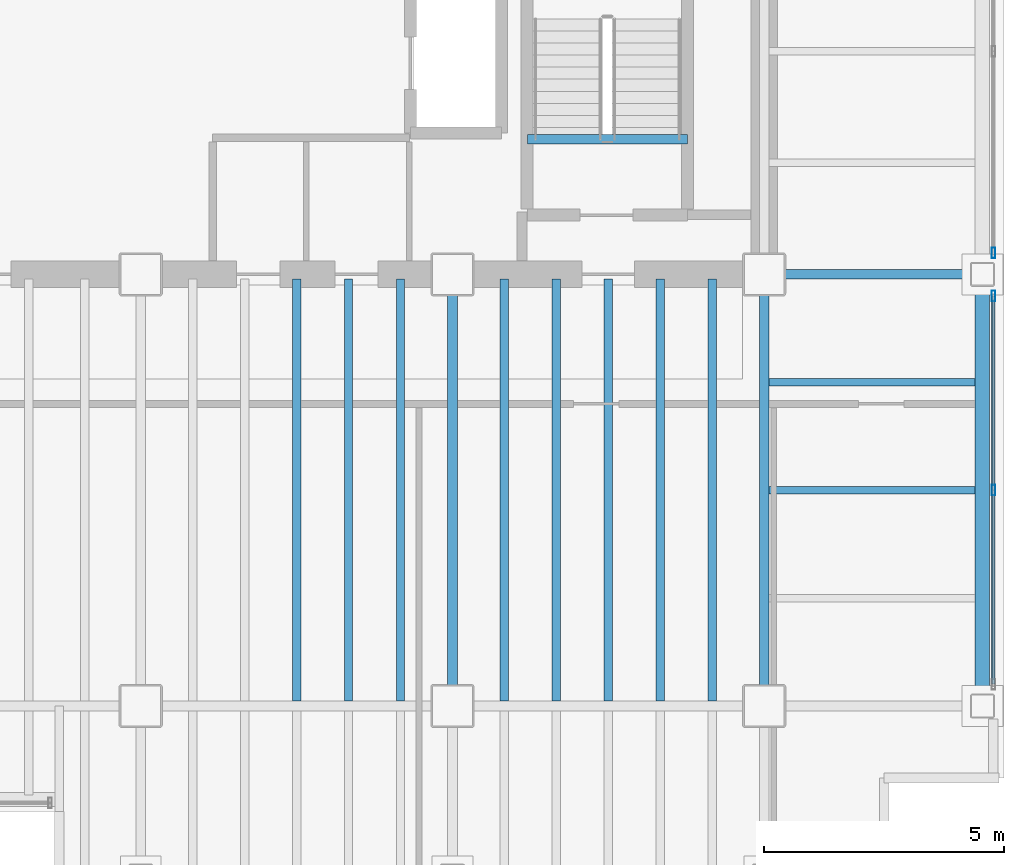
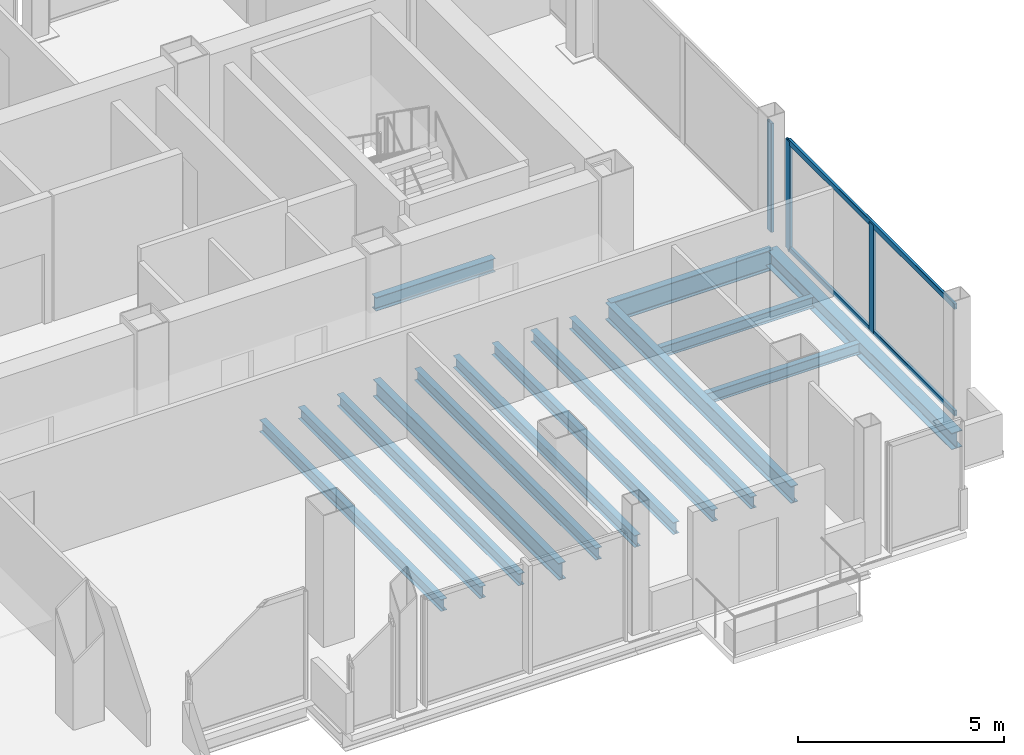
# One storey, part 12 of 19: 15 beams, 5 members, 2 elements without a shape of their own.
"""IFC4 building model written with IfcOpenShell, lengths in metres."""

from ifc_helpers import new_model, si_unit, direction, frame, origin, origin_2d, place, context, subcontext, project, spatial, hollow_rectangle, i_section, extrude, material, material_profile, profile_set, type_object, element, aggregate, save


model = new_model("IFC4")

# Units and contexts
model_context = context("Model", 3, precision=1e-05, world=origin(), true_north=direction((0.0, 1.0)))
body_context = subcontext(model_context, "Body", "Model", "MODEL_VIEW")
ifc_project = project(units=[si_unit("LENGTHUNIT", "METRE"), si_unit("AREAUNIT", "SQUARE_METRE"), si_unit("VOLUMEUNIT", "CUBIC_METRE"), si_unit("PLANEANGLEUNIT", "RADIAN"), si_unit("MASSUNIT", "GRAM", prefix="KILO")], contexts=[model_context])

# Site, building, storey
site_placement = place(None, origin())
site = spatial("IfcSite", under=ifc_project, at=site_placement, CompositionType="ELEMENT")
building_placement = place(site_placement, origin())
building = spatial("IfcBuilding", under=site, at=building_placement, Name="Noeulbin Bourse Tower", CompositionType="ELEMENT")
storey_placement = place(building_placement, frame((0.0, 0.0, 150.0)))
storey = spatial("IfcBuildingStorey", under=building, at=storey_placement, Name="L37", CompositionType="ELEMENT", Elevation=150.0)

# Beams
ifc_material_1 = material(Name="Steel S355", Category="steel")
ifc_material_profile_1 = material_profile(ifc_material_1, i_section(OverallWidth=0.199951171875, OverallDepth=0.5, WebThickness=0.010009765625, FlangeThickness=0.01611328125, FilletRadius=0.02001953125, at=origin_2d()), Name="H-500x200x10x16", Category="LoadBearing")
ifc_profile_set_1 = profile_set([ifc_material_profile_1], Name="Steel S355")
beam_type_1 = type_object("IfcBeamType", Name="BM-GRD-500", PredefinedType="USERDEFINED", material=ifc_profile_set_1)
for number, where, z_axis, x_axis, name in (
    (1, (37.5, 20.0, -0.429931640625), (0.0, 1.0, 0.0), (-1.0, 0.0, 0.0), "Tower Primary Girder NS L37-4.2"),
    (2, (44.0, 20.0, -0.429931640625), (0.0, 1.0, 0.0), (-1.0, 0.0, 0.0), "Tower Primary Girder NS L37-5.2"),
):
    element("IfcBeam", number, at=place(storey_placement, frame(where, z_axis=z_axis, x_axis=x_axis)), inside=storey, type_object=beam_type_1, Name=name, ObjectType="GIRDER", PredefinedType="USERDEFINED", context=body_context, shape_type="SweptSolid", body=[
        extrude(i_section(OverallWidth=0.199951171875, OverallDepth=0.5, WebThickness=0.010009765625, FlangeThickness=0.01611328125, FilletRadius=0.02001953125, at=origin_2d()), origin(), (0.0, 0.0, 1.0), 9.0),
    ])
ifc_material_profile_2 = material_profile(ifc_material_1, i_section(OverallWidth=0.199951171875, OverallDepth=0.60009765625, WebThickness=0.010986328125, FlangeThickness=0.01708984375, FilletRadius=0.02197265625, at=origin_2d()), Name="H-600x200x11x17", Category="LoadBearing")
ifc_profile_set_2 = profile_set([ifc_material_profile_2], Name="Steel S355")
beam_type_2 = type_object("IfcBeamType", Name="BM-GRD-600", PredefinedType="USERDEFINED", material=ifc_profile_set_2)
beam_1_placement = place(storey_placement, frame((44.0, 29.0, -0.47998046875), z_axis=(1.0, 0.0, 0.0), x_axis=(0.0, 1.0, 0.0)))
element("IfcBeam", 3, at=beam_1_placement, inside=storey, type_object=beam_type_2, Name="Tower Primary Girder EW L37-2.6", ObjectType="GIRDER", PredefinedType="USERDEFINED", context=body_context, shape_type="SweptSolid", body=[
    extrude(i_section(OverallWidth=0.199951171875, OverallDepth=0.60009765625, WebThickness=0.010986328125, FlangeThickness=0.01708984375, FilletRadius=0.02197265625, at=origin_2d()), origin(), (0.0, 0.0, 1.0), 4.550048828125),
])
ifc_material_profile_3 = material_profile(ifc_material_1, i_section(OverallWidth=0.159912109375, OverallDepth=0.320068359375, WebThickness=0.006591796875, FlangeThickness=0.010009765625, FilletRadius=0.012939453125, at=origin_2d()), Name="H-320x160x6.5x10", Category="LoadBearing")
ifc_profile_set_3 = profile_set([ifc_material_profile_3], Name="Steel S355")
beam_type_3 = type_object("IfcBeamType", Name="BM-JST-320", PredefinedType="JOIST", material=ifc_profile_set_3)
for number, where, z_axis, x_axis, name in (
    (4, (44.10009765625, 24.5, -0.340087890625), (1.0, 0.0, 0.0), (0.0, 1.0, 0.0), "Wing Composite Joist L37-E74"),
    (5, (44.10009765625, 26.75, -0.340087890625), (1.0, 0.0, 0.0), (0.0, 1.0, 0.0), "Wing Composite Joist L37-E75"),
):
    element("IfcBeam", number, at=place(storey_placement, frame(where, z_axis=z_axis, x_axis=x_axis)), inside=storey, type_object=beam_type_3, Name=name, PredefinedType="JOIST", context=body_context, shape_type="SweptSolid", body=[
        extrude(i_section(OverallWidth=0.159912109375, OverallDepth=0.320068359375, WebThickness=0.006591796875, FlangeThickness=0.010009765625, FilletRadius=0.012939453125, at=origin_2d()), origin(), (0.0, 0.0, 1.0), 4.2998046875),
    ])
ifc_material_profile_4 = material_profile(ifc_material_1, i_section(OverallWidth=0.175048828125, OverallDepth=0.35009765625, WebThickness=0.007080078125, FlangeThickness=0.010986328125, FilletRadius=0.013916015625, at=origin_2d()), Name="H-350x175x7x11", Category="LoadBearing")
ifc_profile_set_4 = profile_set([ifc_material_profile_4], Name="Steel S355")
beam_type_4 = type_object("IfcBeamType", Name="BM-JST-350", PredefinedType="JOIST", material=ifc_profile_set_4)
for number, where, z_axis, x_axis, name in (
    (6, (34.25, 20.10009765625, -0.35498046875), (0.0, 1.0, 0.0), (-1.0, 0.0, 0.0), "Tower Composite Joist L37-47"),
    (7, (35.333251953125, 20.10009765625, -0.35498046875), (0.0, 1.0, 0.0), (-1.0, 0.0, 0.0), "Tower Composite Joist L37-50"),
    (8, (36.416748046875, 20.10009765625, -0.35498046875), (0.0, 1.0, 0.0), (-1.0, 0.0, 0.0), "Tower Composite Joist L37-53"),
    (9, (38.583251953125, 20.10009765625, -0.35498046875), (0.0, 1.0, 0.0), (-1.0, 0.0, 0.0), "Tower Composite Joist L37-56"),
    (10, (39.666748046875, 20.10009765625, -0.35498046875), (0.0, 1.0, 0.0), (-1.0, 0.0, 0.0), "Tower Composite Joist L37-59"),
    (11, (40.75, 20.10009765625, -0.35498046875), (0.0, 1.0, 0.0), (-1.0, 0.0, 0.0), "Tower Composite Joist L37-62"),
    (12, (41.833251953125, 20.10009765625, -0.35498046875), (0.0, 1.0, 0.0), (-1.0, 0.0, 0.0), "Tower Composite Joist L37-65"),
    (13, (42.916748046875, 20.10009765625, -0.35498046875), (0.0, 1.0, 0.0), (-1.0, 0.0, 0.0), "Tower Composite Joist L37-68"),
):
    element("IfcBeam", number, at=place(storey_placement, frame(where, z_axis=z_axis, x_axis=x_axis)), inside=storey, type_object=beam_type_4, Name=name, PredefinedType="JOIST", context=body_context, shape_type="SweptSolid", body=[
        extrude(i_section(OverallWidth=0.175048828125, OverallDepth=0.35009765625, WebThickness=0.007080078125, FlangeThickness=0.010986328125, FilletRadius=0.013916015625, at=origin_2d()), origin(), (0.0, 0.0, 1.0), 8.7998046875),
    ])
ifc_material_profile_5 = material_profile(ifc_material_1, i_section(OverallWidth=0.199951171875, OverallDepth=0.39990234375, WebThickness=0.008056640625, FlangeThickness=0.012939453125, FilletRadius=0.01611328125, at=origin_2d()), Name="H-400x200x8x13", Category="LoadBearing")
ifc_profile_set_5 = profile_set([ifc_material_profile_5], Name="Steel S355")
beam_type_5 = type_object("IfcBeamType", Name="BM-SEC-400", PredefinedType="BEAM", material=ifc_profile_set_5)
beam_2_placement = place(storey_placement, frame((39.06005859375, 31.820068359375, -0.199951171875), z_axis=(1.0, 0.0, 0.0), x_axis=(0.0, 1.0, 0.0)))
element("IfcBeam", 14, at=beam_2_placement, inside=storey, type_object=beam_type_5, Name="Stair Threshold Trimmer Beam ST2-L37", PredefinedType="BEAM", context=body_context, shape_type="SweptSolid", body=[
    extrude(i_section(OverallWidth=0.199951171875, OverallDepth=0.39990234375, WebThickness=0.008056640625, FlangeThickness=0.012939453125, FilletRadius=0.01611328125, at=origin_2d()), origin(), (0.0, 0.0, 1.0), 3.33984375),
])
ifc_material_profile_6 = material_profile(ifc_material_1, i_section(OverallWidth=0.300048828125, OverallDepth=0.488037109375, WebThickness=0.010986328125, FlangeThickness=0.01806640625, FilletRadius=0.02197265625, at=origin_2d()), Name="H-488x300x11x18", Category="LoadBearing")
ifc_profile_set_6 = profile_set([ifc_material_profile_6], Name="Steel S355")
beam_type_6 = type_object("IfcBeamType", Name="BM-SPN-488", PredefinedType="SPANDREL", material=ifc_profile_set_6)
beam_3_placement = place(storey_placement, frame((48.550048828125, 20.0, -0.424072265625), z_axis=(0.0, 1.0, 0.0), x_axis=(-1.0, 0.0, 0.0)))
element("IfcBeam", 15, at=beam_3_placement, inside=storey, type_object=beam_type_6, Name="East Spandrel L37-1", PredefinedType="SPANDREL", context=body_context, shape_type="SweptSolid", body=[
    extrude(i_section(OverallWidth=0.300048828125, OverallDepth=0.488037109375, WebThickness=0.010986328125, FlangeThickness=0.01806640625, FilletRadius=0.02197265625, at=origin_2d()), origin(), (0.0, 0.0, 1.0), 9.0),
])

# Curtain wall, members
ifc_material_2 = material(Name="Dark Tinted Triple Glazing", Category="glass")
curtain_wall_type = type_object("IfcCurtainWallType", Name="CW-SYS-3", PredefinedType="NOTDEFINED", material=ifc_material_2)
curtain_wall_1_placement = place(storey_placement, origin())
curtain_wall_1 = element("IfcCurtainWall", 16, at=curtain_wall_1_placement, inside=storey, type_object=curtain_wall_type, Name="Unitised Curtain Wall CW-L37-E-S1", PredefinedType="NOTDEFINED")
ifc_material_3 = material(Name="Anodised Aluminium 6063-T6", Category="aluminium")
ifc_material_profile_7 = material_profile(ifc_material_3, hollow_rectangle(XDim=0.074951171875, YDim=0.219970703125, WallThickness=0.0048828125, InnerFilletRadius=0.00244140625, OuterFilletRadius=0.0048828125, at=origin_2d()), Name="ALU-MULL-75x220x5", Category="LoadBearing")
ifc_profile_set_7 = profile_set([ifc_material_profile_7], Name="Anodised Aluminium 6063-T6")
member_type_1 = type_object("IfcMemberType", Name="CW-SYS-3-MUL", PredefinedType="MULLION", material=ifc_profile_set_7)
member_1_placement = place(storey_placement, frame((48.780029296875, 24.5, -0.02001953125), z_axis=(0.0, 0.0, 1.0), x_axis=(1.0, 0.0, 0.0)))
member_1 = element("IfcMember", 17, at=member_1_placement, type_object=member_type_1, Name="Curtain Wall Mullion CW-L37-E-S1-M01", PredefinedType="MULLION", context=body_context, shape_type="SweptSolid", body=[
    extrude(hollow_rectangle(XDim=0.074951171875, YDim=0.219970703125, WallThickness=0.0048828125, InnerFilletRadius=0.00244140625, OuterFilletRadius=0.0048828125, at=origin_2d()), origin(), (0.0, 0.0, 1.0), 3.219970703125),
])
member_2_placement = place(storey_placement, frame((48.780029296875, 28.550048828125, -0.02001953125), z_axis=(0.0, 0.0, 1.0), x_axis=(1.0, 0.0, 0.0)))
member_2 = element("IfcMember", 18, at=member_2_placement, type_object=member_type_1, Name="Curtain Wall Mullion CW-L37-E-S1-M02", PredefinedType="MULLION", context=body_context, shape_type="SweptSolid", body=[
    extrude(hollow_rectangle(XDim=0.074951171875, YDim=0.219970703125, WallThickness=0.0048828125, InnerFilletRadius=0.00244140625, OuterFilletRadius=0.0048828125, at=origin_2d()), origin(), (0.0, 0.0, 1.0), 3.219970703125),
])

# Curtain wall, member
curtain_wall_2_placement = place(storey_placement, origin())
curtain_wall_2 = element("IfcCurtainWall", 19, at=curtain_wall_2_placement, inside=storey, type_object=curtain_wall_type, Name="Unitised Curtain Wall CW-L37-E-S2", PredefinedType="NOTDEFINED")
member_3_placement = place(storey_placement, frame((48.780029296875, 29.449951171875, -0.02001953125), z_axis=(0.0, 0.0, 1.0), x_axis=(1.0, 0.0, 0.0)))
member_3 = element("IfcMember", 20, at=member_3_placement, type_object=member_type_1, Name="Curtain Wall Mullion CW-L37-E-S2-M00", PredefinedType="MULLION", context=body_context, shape_type="SweptSolid", body=[
    extrude(hollow_rectangle(XDim=0.074951171875, YDim=0.219970703125, WallThickness=0.0048828125, InnerFilletRadius=0.00244140625, OuterFilletRadius=0.0048828125, at=origin_2d()), origin(), (0.0, 0.0, 1.0), 3.219970703125),
])
aggregate(curtain_wall_2, [member_3])

# Member
ifc_material_profile_8 = material_profile(ifc_material_3, hollow_rectangle(XDim=0.074951171875, YDim=0.159912109375, WallThickness=0.0048828125, InnerFilletRadius=0.00244140625, OuterFilletRadius=0.0048828125, at=origin_2d()), Name="ALU-TRAN-75x160x5", Category="LoadBearing")
ifc_profile_set_8 = profile_set([ifc_material_profile_8], Name="Anodised Aluminium 6063-T6")
member_type_2 = type_object("IfcMemberType", Name="CW-SYS-3-TRN", PredefinedType="USERDEFINED", material=ifc_profile_set_8)
member_4_placement = place(storey_placement, frame((48.780029296875, 20.4599609375, 0.010009765625), z_axis=(0.0, 1.0, 0.0), x_axis=(-1.0, 0.0, 0.0)))
member_4 = element("IfcMember", 21, at=member_4_placement, type_object=member_type_2, Name="Curtain Wall Transom CW-L37-E-S1-T00", ObjectType="TRANSOM", PredefinedType="USERDEFINED", context=body_context, shape_type="SweptSolid", body=[
    extrude(hollow_rectangle(XDim=0.074951171875, YDim=0.159912109375, WallThickness=0.0048828125, InnerFilletRadius=0.00244140625, OuterFilletRadius=0.0048828125, at=origin_2d()), origin(), (0.0, 0.0, 1.0), 8.080078125),
])

member_5_placement = place(storey_placement, frame((48.780029296875, 20.4599609375, 3.169921875), z_axis=(0.0, 1.0, 0.0), x_axis=(-1.0, 0.0, 0.0)))
member_5 = element("IfcMember", 22, at=member_5_placement, type_object=member_type_2, Name="Curtain Wall Transom CW-L37-E-S1-T01", ObjectType="TRANSOM", PredefinedType="USERDEFINED", context=body_context, shape_type="SweptSolid", body=[
    extrude(hollow_rectangle(XDim=0.074951171875, YDim=0.159912109375, WallThickness=0.0048828125, InnerFilletRadius=0.00244140625, OuterFilletRadius=0.0048828125, at=origin_2d()), origin(), (0.0, 0.0, 1.0), 8.080078125),
])

aggregate(curtain_wall_1, [member_1, member_2, member_4, member_5])

save(model, "model.ifc")
